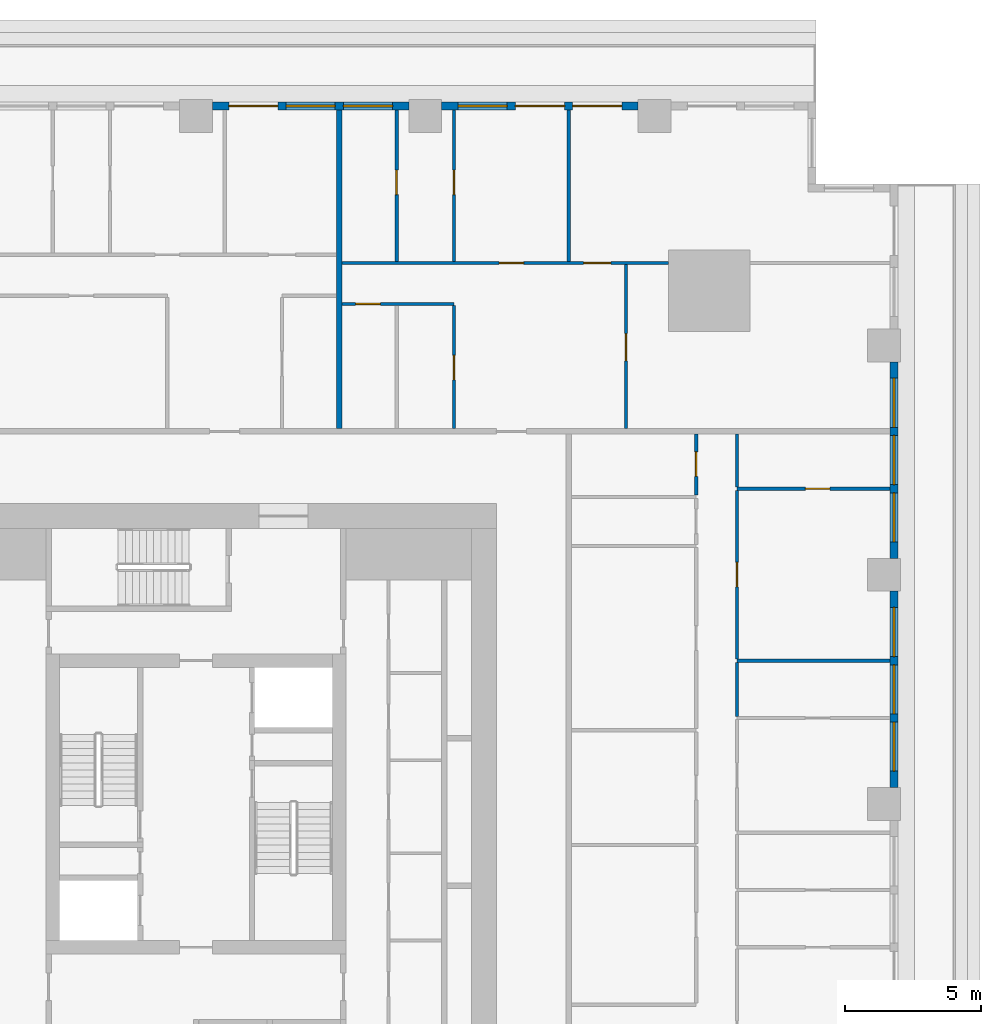
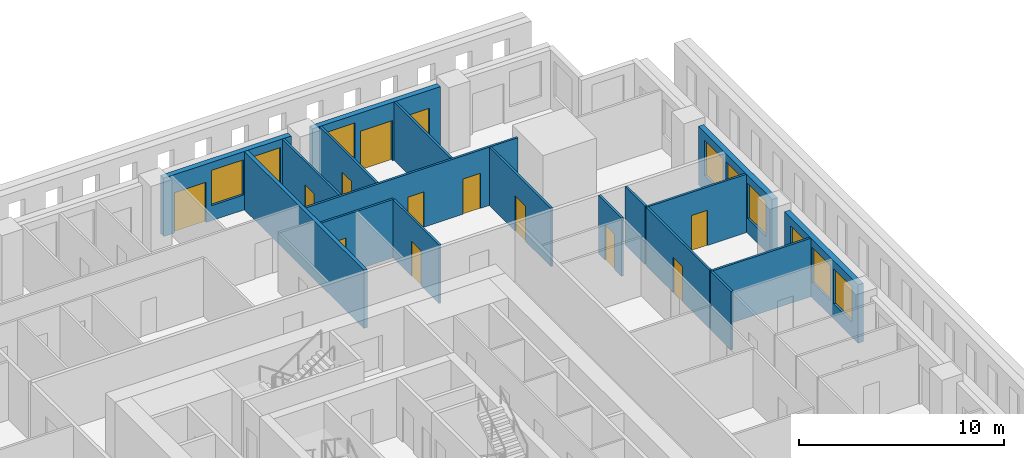
# One storey, part 9 of 15: 18 walls, 13 doors, 9 windows, 22 openings.
"""IFC4 building model written with IfcOpenShell, lengths in metres."""

import ifcopenshell
import ifcopenshell.guid

model = None  # the IFC model being written
_history = None  # IfcOwnerHistory: only IFC2X3 demands one
_inside = {}  # id of a spatial element -> (the spatial element, [elements in it])
_under = {}  # id of a project, library or spatial element -> (it, [spatial elements below it])
_declared = {}  # id of a project -> (the project, [libraries it declares])
_typed = {}  # id of a type object -> (the type object, [elements of that type])
_made_of = {}  # id of a material, layer set ... -> (it, [elements and type objects made of it])


def new_model(schema):
    """Start an empty IFC model of exactly this schema.

    Asked for "IFC4X3", IfcOpenShell would pick the latest addendum, in which some entities
    have other attributes; the version numbers below select the first issue.
    IFC2X3 requires an IfcOwnerHistory on every rooted entity: one is made here for all.
    """
    global model, _history
    if schema == "IFC4X3":
        model = ifcopenshell.file(schema_version=(4, 3, 0, 0))
    else:
        model = ifcopenshell.file(schema=schema)
    _inside.clear()
    _under.clear()
    _declared.clear()
    _typed.clear()
    _made_of.clear()
    _history = None
    if model.schema == "IFC2X3":
        org = make("IfcOrganization", Name="unknown")
        user = make(
            "IfcPersonAndOrganization",
            ThePerson=make("IfcPerson", FamilyName="unknown"),
            TheOrganization=org,
        )
        app = make(
            "IfcApplication",
            ApplicationDeveloper=org,
            Version="unknown",
            ApplicationFullName="unknown",
            ApplicationIdentifier="unknown",
        )
        _history = make(
            "IfcOwnerHistory",
            OwningUser=user,
            OwningApplication=app,
            ChangeAction="ADDED",
            CreationDate=0,
        )
    return model


def make(cls, **values):
    """One entity of the class cls with the attributes given. An attribute that is None is left unset."""
    return model.create_entity(
        cls, **{name: value for name, value in values.items() if value is not None}
    )


def rooted(cls, **values):
    """An entity with a GlobalId (a new one), such as an element, a storey or a relation."""
    return make(cls, GlobalId=ifcopenshell.guid.new(), OwnerHistory=_history, **values)


def si_unit(unit_type, name, prefix=None):
    """IfcSIUnit, for example si_unit("LENGTHUNIT", "METRE", prefix="MILLI")."""
    return make("IfcSIUnit", UnitType=unit_type, Prefix=prefix, Name=name)


def assignment(units):
    """IfcUnitAssignment: the units of a project."""
    return None if units is None else make("IfcUnitAssignment", Units=units)


def point(xyz):
    """IfcCartesianPoint."""
    return None if xyz is None else make("IfcCartesianPoint", Coordinates=xyz)


def direction(xyz):
    """IfcDirection."""
    return None if xyz is None else make("IfcDirection", DirectionRatios=xyz)


def frame(location, z_axis=None, x_axis=None):
    """IfcAxis2Placement3D, a coordinate frame: its origin and axes. An axis left out is left unset."""
    return make(
        "IfcAxis2Placement3D",
        Location=point(location),
        Axis=direction(z_axis),
        RefDirection=direction(x_axis),
    )


def frame_2d(location, x_axis=None):
    """IfcAxis2Placement2D, a coordinate frame in the plane: its origin and x axis."""
    return make(
        "IfcAxis2Placement2D", Location=point(location), RefDirection=direction(x_axis)
    )


def origin():
    """The frame at (0, 0, 0) with its axes left unset."""
    return frame((0.0, 0.0, 0.0))


def place(relative_to, where):
    """IfcLocalPlacement: puts the frame where relative to a parent placement (None: the world)."""
    return make(
        "IfcLocalPlacement", PlacementRelTo=relative_to, RelativePlacement=where
    )


def context(
    kind, dimensions, precision=None, world=None, true_north=None, identifier=None
):
    """IfcGeometricRepresentationContext, for example the 3D "Model" context."""
    return make(
        "IfcGeometricRepresentationContext",
        ContextIdentifier=identifier,
        ContextType=kind,
        CoordinateSpaceDimension=dimensions,
        Precision=precision,
        WorldCoordinateSystem=world,
        TrueNorth=true_north,
    )


def subcontext(parent, identifier, kind, view, scale=None):
    """IfcGeometricRepresentationSubContext, for example "Body" below "Model"."""
    return make(
        "IfcGeometricRepresentationSubContext",
        ContextIdentifier=identifier,
        ContextType=kind,
        ParentContext=parent,
        TargetScale=scale,
        TargetView=view,
    )


def project(units=None, contexts=None):
    """IfcProject with its units and contexts."""
    return rooted(
        "IfcProject",
        Name="project",
        RepresentationContexts=contexts,
        UnitsInContext=assignment(units),
    )


def spatial(cls, under=None, at=None, **own):
    """A site, building, storey or space (cls), placed at a placement, below another one or the project."""
    s = rooted(cls, ObjectPlacement=at, **own)
    if under is not None:
        _under.setdefault(under.id(), (under, []))[1].append(s)
    return s


def profile(cls, at=None, kind="AREA", **sizes):
    """A parametric profile (cls). Its sizes go by their IFC names, for example OverallWidth=200.0."""
    return make(cls, ProfileType=kind, Position=at, **sizes)


def rectangle(**sizes):
    """IfcRectangleProfileDef."""
    return profile("IfcRectangleProfileDef", **sizes)


def extrude(swept, where, along, depth):
    """IfcExtrudedAreaSolid: the profile swept, set in the frame where, extruded along a direction by depth."""
    return make(
        "IfcExtrudedAreaSolid",
        SweptArea=swept,
        Position=where,
        ExtrudedDirection=direction(along),
        Depth=depth,
    )


def shape(context_of_items, identifier, shape_type, items):
    """IfcShapeRepresentation: the items that make up one representation, for example the "Body"."""
    return make(
        "IfcShapeRepresentation",
        ContextOfItems=context_of_items,
        RepresentationIdentifier=identifier,
        RepresentationType=shape_type,
        Items=items,
    )


def material(Name=None, Category=None):
    """IfcMaterial."""
    return make("IfcMaterial", Name=Name, Category=Category)


def layer(
    of_material, thickness, ventilated=None, Name=None, Category=None, Priority=None
):
    """IfcMaterialLayer: one layer of a wall or slab, of a material (None: an air gap)."""
    return make(
        "IfcMaterialLayer",
        Material=of_material,
        LayerThickness=thickness,
        IsVentilated=ventilated,
        Name=Name,
        Category=Category,
        Priority=Priority,
    )


def layer_set(layers, Name=None):
    """IfcMaterialLayerSet."""
    return make("IfcMaterialLayerSet", MaterialLayers=layers, LayerSetName=Name)


def made_of(thing, what):
    """Note that an element or type object is made of a material, layer set ...; save() writes the relation."""
    if what is not None:
        _made_of.setdefault(what.id(), (what, []))[1].append(thing)
    return thing


def type_object(cls, material=None, **own):
    """A type object (cls), such as IfcWallType, which elements share."""
    return made_of(rooted(cls, **own), material)


def element(
    cls,
    number,
    at=None,
    inside=None,
    cuts=None,
    type_object=None,
    material=None,
    context=None,
    identifier="Body",
    shape_type=None,
    held_by="IfcProductDefinitionShape",
    body=None,
    shapes=None,
    **own,
):
    """One element of the class cls, such as IfcWall. Its Tag is "e" and its number.

    at: its placement. inside: the storey or other place that contains it. cuts: it is an
    opening in that element (IfcRelVoidsElement). A single representation is given by context,
    identifier, shape_type and body (its items); several are given by shapes. held_by: the class
    of the entity that holds the representations. save() writes the other relations.
    """
    e = rooted(cls, Tag="e%d" % number, ObjectPlacement=at, **own)
    if body is not None:
        shapes = [shape(context, identifier, shape_type, body)]
    if shapes is not None:
        e.Representation = make(held_by, Representations=shapes)
    if inside is not None:
        _inside.setdefault(inside.id(), (inside, []))[1].append(e)
    if cuts is not None:
        rooted(
            "IfcRelVoidsElement", RelatingBuildingElement=cuts, RelatedOpeningElement=e
        )
    if type_object is not None:
        _typed.setdefault(type_object.id(), (type_object, []))[1].append(e)
    return made_of(e, material)


def fill(opening, filler):
    """IfcRelFillsElement: the door or window that sits in an opening."""
    return rooted(
        "IfcRelFillsElement",
        RelatingOpeningElement=opening,
        RelatedBuildingElement=filler,
    )


def aggregate(whole, parts):
    """IfcRelAggregates: a whole, such as a stair, and the parts it consists of."""
    return rooted("IfcRelAggregates", RelatingObject=whole, RelatedObjects=parts)


def save(model, path):
    """Write the relations noted so far, then the file.

    IfcRelAggregates (storeys below a building ...), IfcRelContainedInSpatialStructure (elements
    in a storey), IfcRelDefinesByType, IfcRelAssociatesMaterial and IfcRelDeclares: one each for
    every whole, place, type object, material and project.
    """
    for whole, parts in _under.values():
        aggregate(whole, parts)
    for where, things in _inside.values():
        rooted(
            "IfcRelContainedInSpatialStructure",
            RelatedElements=things,
            RelatingStructure=where,
        )
    for kind, things in _typed.values():
        rooted("IfcRelDefinesByType", RelatedObjects=things, RelatingType=kind)
    for what, things in _made_of.values():
        rooted("IfcRelAssociatesMaterial", RelatedObjects=things, RelatingMaterial=what)
    for by, libraries in _declared.values():
        rooted("IfcRelDeclares", RelatingContext=by, RelatedDefinitions=libraries)
    model.write(path)


model = new_model("IFC4")

# Units and contexts
model_context = context("Model", 3, precision=1e-05, world=origin(), true_north=direction((0.0, 1.0)))
body_context = subcontext(model_context, "Body", "Model", "MODEL_VIEW")
ifc_project = project(units=[si_unit("LENGTHUNIT", "METRE"), si_unit("AREAUNIT", "SQUARE_METRE"), si_unit("VOLUMEUNIT", "CUBIC_METRE"), si_unit("PLANEANGLEUNIT", "RADIAN"), si_unit("MASSUNIT", "GRAM", prefix="KILO")], contexts=[model_context])

# Site, building, storey
site_placement = place(None, origin())
site = spatial("IfcSite", under=ifc_project, at=site_placement, CompositionType="ELEMENT")
building_placement = place(site_placement, origin())
building = spatial("IfcBuilding", under=site, at=building_placement, Name="Khepri Terraces", CompositionType="ELEMENT")
storey_placement = place(building_placement, frame((0.0, 0.0, 38.699951171875)))
storey = spatial("IfcBuildingStorey", under=building, at=storey_placement, Name="L08", CompositionType="ELEMENT", Elevation=38.699951171875)

# Wall
ifc_material_1 = material(Name="Fire-rated gypsum plasterboard partition, mineral wool")
ifc_layer_1 = layer(ifc_material_1, 0.199951171875, Name="Fire-rated gypsum plasterboard partition, mineral wool")
ifc_layer_set_1 = layer_set([ifc_layer_1], Name="Fire-rated gypsum plasterboard partition, mineral wool")
wall_type_1 = type_object("IfcWallType", Name="WL-CORR-200", PredefinedType="PARTITIONING", material=ifc_layer_set_1)
wall_1_placement = place(storey_placement, frame((5.25, 13.75, 0.0), z_axis=(0.0, 0.0, 1.0), x_axis=(0.0, 1.0, 0.0)))
element("IfcWall", 1, at=wall_1_placement, inside=storey, type_object=wall_type_1, Name="Partition P-082 L08", PredefinedType="PARTITIONING", context=body_context, shape_type="SweptSolid", body=[
    extrude(rectangle(XDim=11.669921875, YDim=0.199951171875, at=frame_2d((5.8349609375, 0.0))), origin(), (0.0, 0.0, 1.0), 3.47998046875),
])

# Wall, openings, windows
ifc_material_2 = material(Name="Precast concrete C50/60 warm stone", Category="masonry")
ifc_layer_2 = layer(ifc_material_2, 0.300048828125, Name="Precast concrete C50/60 warm stone", Category="masonry")
ifc_layer_set_2 = layer_set([ifc_layer_2], Name="Precast concrete C50/60 warm stone")
wall_type_2 = type_object("IfcWallType", Name="WL-EXT-PRECAST-300", PredefinedType="STANDARD", material=ifc_layer_set_2)
wall_2_placement = place(storey_placement, frame((25.570068359375, 0.60009765625, 0.0), z_axis=(0.0, 0.0, 1.0), x_axis=(0.0, 1.0, 0.0)))
wall_2 = element("IfcWall", 2, at=wall_2_placement, inside=storey, type_object=wall_type_2, Name="External wall L08 E", PredefinedType="STANDARD", context=body_context, shape_type="SweptSolid", body=[
    extrude(rectangle(XDim=7.199951171875, YDim=0.300048828125, at=frame_2d((3.60009765625, 0.0))), origin(), (0.0, 0.0, 1.0), 3.47998046875),
])
opening_1_placement = place(wall_2_placement, frame((0.60009765625, 0.0, 0.89990234375)))
opening_1 = element("IfcOpeningElement", 3, at=opening_1_placement, cuts=wall_2, Name="Opening W1", PredefinedType="OPENING", context=body_context, shape_type="SweptSolid", body=[
    extrude(rectangle(XDim=1.800048828125, YDim=2.10009765625, at=frame_2d((0.89990234375, 1.050048828125))), frame((0.0, 0.16015625, 0.0), z_axis=(0.0, -1.0, 0.0), x_axis=(1.0, 0.0, 0.0)), (0.0, 0.0, 1.0), 0.320068359375),
])
opening_2_placement = place(wall_2_placement, frame((2.699951171875, 0.0, 0.89990234375)))
opening_2 = element("IfcOpeningElement", 4, at=opening_2_placement, cuts=wall_2, Name="Opening W1", PredefinedType="OPENING", context=body_context, shape_type="SweptSolid", body=[
    extrude(rectangle(XDim=1.800048828125, YDim=2.10009765625, at=frame_2d((0.89990234375, 1.050048828125))), frame((0.0, 0.16015625, 0.0), z_axis=(0.0, -1.0, 0.0), x_axis=(1.0, 0.0, 0.0)), (0.0, 0.0, 1.0), 0.320068359375),
])
opening_3_placement = place(wall_2_placement, frame((4.800048828125, 0.0, 0.89990234375)))
opening_3 = element("IfcOpeningElement", 5, at=opening_3_placement, cuts=wall_2, Name="Opening W1", PredefinedType="OPENING", context=body_context, shape_type="SweptSolid", body=[
    extrude(rectangle(XDim=1.800048828125, YDim=2.10009765625, at=frame_2d((0.89990234375, 1.050048828125))), frame((0.0, 0.16015625, 0.0), z_axis=(0.0, -1.0, 0.0), x_axis=(1.0, 0.0, 0.0)), (0.0, 0.0, 1.0), 0.320068359375),
])
ifc_material_3 = material(Name="Clear glass", Category="glass")
window_type = type_object("IfcWindowType", Name="WIN-RES-1800x2100", PartitioningType="SINGLE_PANEL", PredefinedType="WINDOW", material=ifc_material_3)
window_1_placement = place(opening_1_placement, origin())
window_1 = element("IfcWindow", 6, at=window_1_placement, inside=storey, type_object=window_type, Name="Window L08 E", OverallHeight=2.10009765625, OverallWidth=1.800048828125, PartitioningType="SINGLE_PANEL", PredefinedType="WINDOW", context=body_context, shape_type="SweptSolid", body=[
    extrude(rectangle(XDim=1.800048828125, YDim=2.10009765625, at=frame_2d((0.89990234375, 1.050048828125))), frame((0.0, 0.030029296875, 0.0), z_axis=(0.0, -1.0, 0.0), x_axis=(1.0, 0.0, 0.0)), (0.0, 0.0, 1.0), 0.06005859375),
])
fill(opening_1, window_1)
window_2_placement = place(opening_2_placement, origin())
window_2 = element("IfcWindow", 7, at=window_2_placement, inside=storey, type_object=window_type, Name="Window L08 E", OverallHeight=2.10009765625, OverallWidth=1.800048828125, PartitioningType="SINGLE_PANEL", PredefinedType="WINDOW", context=body_context, shape_type="SweptSolid", body=[
    extrude(rectangle(XDim=1.800048828125, YDim=2.10009765625, at=frame_2d((0.89990234375, 1.050048828125))), frame((0.0, 0.030029296875, 0.0), z_axis=(0.0, -1.0, 0.0), x_axis=(1.0, 0.0, 0.0)), (0.0, 0.0, 1.0), 0.06005859375),
])
fill(opening_2, window_2)
window_3_placement = place(opening_3_placement, origin())
window_3 = element("IfcWindow", 8, at=window_3_placement, inside=storey, type_object=window_type, Name="Window L08 E", OverallHeight=2.10009765625, OverallWidth=1.800048828125, PartitioningType="SINGLE_PANEL", PredefinedType="WINDOW", context=body_context, shape_type="SweptSolid", body=[
    extrude(rectangle(XDim=1.800048828125, YDim=2.10009765625, at=frame_2d((0.89990234375, 1.050048828125))), frame((0.0, 0.030029296875, 0.0), z_axis=(0.0, -1.0, 0.0), x_axis=(1.0, 0.0, 0.0)), (0.0, 0.0, 1.0), 0.06005859375),
])
fill(opening_3, window_3)

wall_3_placement = place(storey_placement, frame((25.570068359375, 9.0, 0.0), z_axis=(0.0, 0.0, 1.0), x_axis=(0.0, 1.0, 0.0)))
wall_3 = element("IfcWall", 9, at=wall_3_placement, inside=storey, type_object=wall_type_2, Name="External wall L08 E", PredefinedType="STANDARD", context=body_context, shape_type="SweptSolid", body=[
    extrude(rectangle(XDim=7.199951171875, YDim=0.300048828125, at=frame_2d((3.60009765625, 0.0))), origin(), (0.0, 0.0, 1.0), 3.47998046875),
])
opening_4_placement = place(wall_3_placement, frame((0.60009765625, 0.0, 0.89990234375)))
opening_4 = element("IfcOpeningElement", 10, at=opening_4_placement, cuts=wall_3, Name="Opening W1", PredefinedType="OPENING", context=body_context, shape_type="SweptSolid", body=[
    extrude(rectangle(XDim=1.800048828125, YDim=2.10009765625, at=frame_2d((0.89990234375, 1.050048828125))), frame((0.0, 0.16015625, 0.0), z_axis=(0.0, -1.0, 0.0), x_axis=(1.0, 0.0, 0.0)), (0.0, 0.0, 1.0), 0.320068359375),
])
opening_5_placement = place(wall_3_placement, frame((2.699951171875, 0.0, 0.89990234375)))
opening_5 = element("IfcOpeningElement", 11, at=opening_5_placement, cuts=wall_3, Name="Opening W1", PredefinedType="OPENING", context=body_context, shape_type="SweptSolid", body=[
    extrude(rectangle(XDim=1.800048828125, YDim=2.10009765625, at=frame_2d((0.89990234375, 1.050048828125))), frame((0.0, 0.16015625, 0.0), z_axis=(0.0, -1.0, 0.0), x_axis=(1.0, 0.0, 0.0)), (0.0, 0.0, 1.0), 0.320068359375),
])
opening_6_placement = place(wall_3_placement, frame((4.800048828125, 0.0, 0.89990234375)))
opening_6 = element("IfcOpeningElement", 12, at=opening_6_placement, cuts=wall_3, Name="Opening W1", PredefinedType="OPENING", context=body_context, shape_type="SweptSolid", body=[
    extrude(rectangle(XDim=1.800048828125, YDim=2.10009765625, at=frame_2d((0.89990234375, 1.050048828125))), frame((0.0, 0.16015625, 0.0), z_axis=(0.0, -1.0, 0.0), x_axis=(1.0, 0.0, 0.0)), (0.0, 0.0, 1.0), 0.320068359375),
])
window_4_placement = place(opening_4_placement, origin())
window_4 = element("IfcWindow", 13, at=window_4_placement, inside=storey, type_object=window_type, Name="Window L08 E", OverallHeight=2.10009765625, OverallWidth=1.800048828125, PartitioningType="SINGLE_PANEL", PredefinedType="WINDOW", context=body_context, shape_type="SweptSolid", body=[
    extrude(rectangle(XDim=1.800048828125, YDim=2.10009765625, at=frame_2d((0.89990234375, 1.050048828125))), frame((0.0, 0.030029296875, 0.0), z_axis=(0.0, -1.0, 0.0), x_axis=(1.0, 0.0, 0.0)), (0.0, 0.0, 1.0), 0.06005859375),
])
fill(opening_4, window_4)
window_5_placement = place(opening_5_placement, origin())
window_5 = element("IfcWindow", 14, at=window_5_placement, inside=storey, type_object=window_type, Name="Window L08 E", OverallHeight=2.10009765625, OverallWidth=1.800048828125, PartitioningType="SINGLE_PANEL", PredefinedType="WINDOW", context=body_context, shape_type="SweptSolid", body=[
    extrude(rectangle(XDim=1.800048828125, YDim=2.10009765625, at=frame_2d((0.89990234375, 1.050048828125))), frame((0.0, 0.030029296875, 0.0), z_axis=(0.0, -1.0, 0.0), x_axis=(1.0, 0.0, 0.0)), (0.0, 0.0, 1.0), 0.06005859375),
])
fill(opening_5, window_5)
window_6_placement = place(opening_6_placement, origin())
window_6 = element("IfcWindow", 15, at=window_6_placement, inside=storey, type_object=window_type, Name="Window L08 E", OverallHeight=2.10009765625, OverallWidth=1.800048828125, PartitioningType="SINGLE_PANEL", PredefinedType="WINDOW", context=body_context, shape_type="SweptSolid", body=[
    extrude(rectangle(XDim=1.800048828125, YDim=2.10009765625, at=frame_2d((0.89990234375, 1.050048828125))), frame((0.0, 0.030029296875, 0.0), z_axis=(0.0, -1.0, 0.0), x_axis=(1.0, 0.0, 0.0)), (0.0, 0.0, 1.0), 0.06005859375),
])
fill(opening_6, window_6)

# Wall, openings, doors, window
wall_4_placement = place(storey_placement, frame((16.199951171875, 25.570068359375, 0.0), z_axis=(0.0, 0.0, 1.0), x_axis=(-1.0, 0.0, 0.0)))
wall_4 = element("IfcWall", 16, at=wall_4_placement, inside=storey, type_object=wall_type_2, Name="External wall L08 N", PredefinedType="STANDARD", context=body_context, shape_type="SweptSolid", body=[
    extrude(rectangle(XDim=7.199951171875, YDim=0.300048828125, at=frame_2d((3.60009765625, 0.0))), origin(), (0.0, 0.0, 1.0), 3.47998046875),
])
opening_7_placement = place(wall_4_placement, frame((0.60009765625, 0.0, 0.0)))
opening_7 = element("IfcOpeningElement", 17, at=opening_7_placement, cuts=wall_4, Name="Opening ED-L08-07", PredefinedType="OPENING", context=body_context, shape_type="SweptSolid", body=[
    extrude(rectangle(XDim=1.800048828125, YDim=2.39990234375, at=frame_2d((0.89990234375, 1.199951171875))), frame((0.0, 0.16015625, 0.0), z_axis=(0.0, -1.0, 0.0), x_axis=(1.0, 0.0, 0.0)), (0.0, 0.0, 1.0), 0.320068359375),
])
opening_8_placement = place(wall_4_placement, frame((2.699951171875, 0.0, 0.0)))
opening_8 = element("IfcOpeningElement", 18, at=opening_8_placement, cuts=wall_4, Name="Opening ED-L08-08", PredefinedType="OPENING", context=body_context, shape_type="SweptSolid", body=[
    extrude(rectangle(XDim=1.800048828125, YDim=2.39990234375, at=frame_2d((0.89990234375, 1.199951171875))), frame((0.0, 0.16015625, 0.0), z_axis=(0.0, -1.0, 0.0), x_axis=(1.0, 0.0, 0.0)), (0.0, 0.0, 1.0), 0.320068359375),
])
opening_9_placement = place(wall_4_placement, frame((4.800048828125, 0.0, 0.89990234375)))
opening_9 = element("IfcOpeningElement", 19, at=opening_9_placement, cuts=wall_4, Name="Opening W1", PredefinedType="OPENING", context=body_context, shape_type="SweptSolid", body=[
    extrude(rectangle(XDim=1.800048828125, YDim=2.10009765625, at=frame_2d((0.89990234375, 1.050048828125))), frame((0.0, 0.16015625, 0.0), z_axis=(0.0, -1.0, 0.0), x_axis=(1.0, 0.0, 0.0)), (0.0, 0.0, 1.0), 0.320068359375),
])
ifc_material_4 = material(Name="Anodised aluminium bronze glazed door", Category="aluminium")
door_type_1 = type_object("IfcDoorType", Name="DR-BAL-SLIDE-1800x2400", OperationType="NOTDEFINED", PredefinedType="DOOR", material=ifc_material_4)
door_1_placement = place(opening_7_placement, origin())
door_1 = element("IfcDoor", 20, at=door_1_placement, inside=storey, type_object=door_type_1, Name="Balcony door L08 N", OperationType="SLIDING_TO_LEFT", OverallHeight=2.39990234375, OverallWidth=1.800048828125, PredefinedType="DOOR", context=body_context, shape_type="SweptSolid", body=[
    extrude(rectangle(XDim=1.800048828125, YDim=2.39990234375, at=frame_2d((0.89990234375, 1.199951171875))), frame((0.0, 0.02490234375, 0.0), z_axis=(0.0, -1.0, 0.0), x_axis=(1.0, 0.0, 0.0)), (0.0, 0.0, 1.0), 0.050048828125),
])
fill(opening_7, door_1)
door_2_placement = place(opening_8_placement, origin())
door_2 = element("IfcDoor", 21, at=door_2_placement, inside=storey, type_object=door_type_1, Name="Balcony door L08 N", OperationType="SLIDING_TO_RIGHT", OverallHeight=2.39990234375, OverallWidth=1.800048828125, PredefinedType="DOOR", context=body_context, shape_type="SweptSolid", body=[
    extrude(rectangle(XDim=1.800048828125, YDim=2.39990234375, at=frame_2d((0.89990234375, 1.199951171875))), frame((0.0, 0.02490234375, 0.0), z_axis=(0.0, -1.0, 0.0), x_axis=(1.0, 0.0, 0.0)), (0.0, 0.0, 1.0), 0.050048828125),
])
fill(opening_8, door_2)
window_7_placement = place(opening_9_placement, origin())
window_7 = element("IfcWindow", 22, at=window_7_placement, inside=storey, type_object=window_type, Name="Window L08 N", OverallHeight=2.10009765625, OverallWidth=1.800048828125, PartitioningType="SINGLE_PANEL", PredefinedType="WINDOW", context=body_context, shape_type="SweptSolid", body=[
    extrude(rectangle(XDim=1.800048828125, YDim=2.10009765625, at=frame_2d((0.89990234375, 1.050048828125))), frame((0.0, 0.030029296875, 0.0), z_axis=(0.0, -1.0, 0.0), x_axis=(1.0, 0.0, 0.0)), (0.0, 0.0, 1.0), 0.06005859375),
])
fill(opening_9, window_7)

# Wall, openings, door, windows
wall_5_placement = place(storey_placement, frame((7.800048828125, 25.570068359375, 0.0), z_axis=(0.0, 0.0, 1.0), x_axis=(-1.0, 0.0, 0.0)))
wall_5 = element("IfcWall", 23, at=wall_5_placement, inside=storey, type_object=wall_type_2, Name="External wall L08 N", PredefinedType="STANDARD", context=body_context, shape_type="SweptSolid", body=[
    extrude(rectangle(XDim=7.199951171875, YDim=0.300048828125, at=frame_2d((3.60009765625, 0.0))), origin(), (0.0, 0.0, 1.0), 3.47998046875),
])
opening_10_placement = place(wall_5_placement, frame((0.60009765625, 0.0, 0.89990234375)))
opening_10 = element("IfcOpeningElement", 24, at=opening_10_placement, cuts=wall_5, Name="Opening W1", PredefinedType="OPENING", context=body_context, shape_type="SweptSolid", body=[
    extrude(rectangle(XDim=1.800048828125, YDim=2.10009765625, at=frame_2d((0.89990234375, 1.050048828125))), frame((0.0, 0.16015625, 0.0), z_axis=(0.0, -1.0, 0.0), x_axis=(1.0, 0.0, 0.0)), (0.0, 0.0, 1.0), 0.320068359375),
])
opening_11_placement = place(wall_5_placement, frame((2.699951171875, 0.0, 0.89990234375)))
opening_11 = element("IfcOpeningElement", 25, at=opening_11_placement, cuts=wall_5, Name="Opening W1", PredefinedType="OPENING", context=body_context, shape_type="SweptSolid", body=[
    extrude(rectangle(XDim=1.800048828125, YDim=2.10009765625, at=frame_2d((0.89990234375, 1.050048828125))), frame((0.0, 0.16015625, 0.0), z_axis=(0.0, -1.0, 0.0), x_axis=(1.0, 0.0, 0.0)), (0.0, 0.0, 1.0), 0.320068359375),
])
opening_12_placement = place(wall_5_placement, frame((4.800048828125, 0.0, 0.0)))
opening_12 = element("IfcOpeningElement", 26, at=opening_12_placement, cuts=wall_5, Name="Opening ED-L08-09", PredefinedType="OPENING", context=body_context, shape_type="SweptSolid", body=[
    extrude(rectangle(XDim=1.800048828125, YDim=2.39990234375, at=frame_2d((0.89990234375, 1.199951171875))), frame((0.0, 0.16015625, 0.0), z_axis=(0.0, -1.0, 0.0), x_axis=(1.0, 0.0, 0.0)), (0.0, 0.0, 1.0), 0.320068359375),
])
door_3_placement = place(opening_12_placement, origin())
door_3 = element("IfcDoor", 27, at=door_3_placement, inside=storey, type_object=door_type_1, Name="Balcony door L08 N", OperationType="SLIDING_TO_RIGHT", OverallHeight=2.39990234375, OverallWidth=1.800048828125, PredefinedType="DOOR", context=body_context, shape_type="SweptSolid", body=[
    extrude(rectangle(XDim=1.800048828125, YDim=2.39990234375, at=frame_2d((0.89990234375, 1.199951171875))), frame((0.0, 0.02490234375, 0.0), z_axis=(0.0, -1.0, 0.0), x_axis=(1.0, 0.0, 0.0)), (0.0, 0.0, 1.0), 0.050048828125),
])
fill(opening_12, door_3)
window_8_placement = place(opening_10_placement, origin())
window_8 = element("IfcWindow", 28, at=window_8_placement, inside=storey, type_object=window_type, Name="Window L08 N", OverallHeight=2.10009765625, OverallWidth=1.800048828125, PartitioningType="SINGLE_PANEL", PredefinedType="WINDOW", context=body_context, shape_type="SweptSolid", body=[
    extrude(rectangle(XDim=1.800048828125, YDim=2.10009765625, at=frame_2d((0.89990234375, 1.050048828125))), frame((0.0, 0.030029296875, 0.0), z_axis=(0.0, -1.0, 0.0), x_axis=(1.0, 0.0, 0.0)), (0.0, 0.0, 1.0), 0.06005859375),
])
fill(opening_10, window_8)
window_9_placement = place(opening_11_placement, origin())
window_9 = element("IfcWindow", 29, at=window_9_placement, inside=storey, type_object=window_type, Name="Window L08 N", OverallHeight=2.10009765625, OverallWidth=1.800048828125, PartitioningType="SINGLE_PANEL", PredefinedType="WINDOW", context=body_context, shape_type="SweptSolid", body=[
    extrude(rectangle(XDim=1.800048828125, YDim=2.10009765625, at=frame_2d((0.89990234375, 1.050048828125))), frame((0.0, 0.030029296875, 0.0), z_axis=(0.0, -1.0, 0.0), x_axis=(1.0, 0.0, 0.0)), (0.0, 0.0, 1.0), 0.06005859375),
])
fill(opening_11, window_9)

# Walls
ifc_material_5 = material(Name="Gypsum plasterboard partition")
ifc_layer_3 = layer(ifc_material_5, 0.1201171875, Name="Gypsum plasterboard partition")
ifc_layer_set_3 = layer_set([ifc_layer_3], Name="Gypsum plasterboard partition")
wall_type_3 = type_object("IfcWallType", Name="WL-PART-120", PredefinedType="PARTITIONING", material=ifc_layer_set_3)
wall_6_placement = place(storey_placement, frame((19.820068359375, 3.2099609375, 0.0), z_axis=(0.0, 0.0, 1.0), x_axis=(0.0, 1.0, 0.0)))
element("IfcWall", 30, at=wall_6_placement, inside=storey, type_object=wall_type_3, Name="Partition P-061 L08", PredefinedType="PARTITIONING", context=body_context, shape_type="SweptSolid", body=[
    extrude(rectangle(XDim=1.97998046875, YDim=0.1201171875, at=frame_2d((0.989990234375, 0.0))), origin(), (0.0, 0.0, 1.0), 3.47998046875),
])
wall_7_placement = place(storey_placement, frame((19.820068359375, 5.25, 0.0), z_axis=(0.0, 0.0, 1.0), x_axis=(1.0, 0.0, 0.0)))
element("IfcWall", 31, at=wall_7_placement, inside=storey, type_object=wall_type_3, Name="Partition P-063 L08", PredefinedType="PARTITIONING", context=body_context, shape_type="SweptSolid", body=[
    extrude(rectangle(XDim=5.599853515625, YDim=0.1201171875, at=frame_2d((2.7998046875, 0.0))), origin(), (0.0, 0.0, 1.0), 3.47998046875),
])

# Wall, opening, door
wall_8_placement = place(storey_placement, frame((19.820068359375, 5.31005859375, 0.0), z_axis=(0.0, 0.0, 1.0), x_axis=(0.0, 1.0, 0.0)))
wall_8 = element("IfcWall", 32, at=wall_8_placement, inside=storey, type_object=wall_type_3, Name="Partition P-065 L08", PredefinedType="PARTITIONING", context=body_context, shape_type="SweptSolid", body=[
    extrude(rectangle(XDim=6.179931640625, YDim=0.1201171875, at=frame_2d((3.08984375, 0.0))), origin(), (0.0, 0.0, 1.0), 3.47998046875),
])
opening_13_placement = place(wall_8_placement, frame((2.639892578125, 0.0, 0.0)))
opening_13 = element("IfcOpeningElement", 33, at=opening_13_placement, cuts=wall_8, Name="Opening D3", PredefinedType="OPENING", context=body_context, shape_type="SweptSolid", body=[
    extrude(rectangle(XDim=0.89990234375, YDim=2.10009765625, at=frame_2d((0.449951171875, 1.050048828125))), frame((0.0, 0.070068359375, 0.0), z_axis=(0.0, -1.0, 0.0), x_axis=(1.0, 0.0, 0.0)), (0.0, 0.0, 1.0), 0.14013671875),
])
ifc_material_6 = material(Name="Timber door leaf", Category="wood")
door_type_2 = type_object("IfcDoorType", Name="DR-INT-900", OperationType="NOTDEFINED", PredefinedType="DOOR", material=ifc_material_6)
door_4_placement = place(opening_13_placement, frame((0.89990234375, 0.0, 0.0), z_axis=(0.0, 0.0, 1.0), x_axis=(-1.0, 0.0, 0.0)))
door_4 = element("IfcDoor", 34, at=door_4_placement, inside=storey, type_object=door_type_2, Name="Door Bedroom", OperationType="SINGLE_SWING_LEFT", OverallHeight=2.10009765625, OverallWidth=0.89990234375, PredefinedType="DOOR", context=body_context, shape_type="SweptSolid", body=[
    extrude(rectangle(XDim=0.89990234375, YDim=2.10009765625, at=frame_2d((0.449951171875, 1.050048828125))), frame((0.0, 0.02490234375, 0.0), z_axis=(0.0, -1.0, 0.0), x_axis=(1.0, 0.0, 0.0)), (0.0, 0.0, 1.0), 0.050048828125),
])
fill(opening_13, door_4)

wall_9_placement = place(storey_placement, frame((18.320068359375, 11.31005859375, 0.0), z_axis=(0.0, 0.0, 1.0), x_axis=(0.0, 1.0, 0.0)))
wall_9 = element("IfcWall", 35, at=wall_9_placement, inside=storey, type_object=wall_type_3, Name="Partition P-070 L08", PredefinedType="PARTITIONING", context=body_context, shape_type="SweptSolid", body=[
    extrude(rectangle(XDim=2.239990234375, YDim=0.1201171875, at=frame_2d((1.1201171875, 0.0))), origin(), (0.0, 0.0, 1.0), 3.47998046875),
])
opening_14_placement = place(wall_9_placement, frame((0.68994140625, 0.0, 0.0)))
opening_14 = element("IfcOpeningElement", 36, at=opening_14_placement, cuts=wall_9, Name="Opening D3", PredefinedType="OPENING", context=body_context, shape_type="SweptSolid", body=[
    extrude(rectangle(XDim=0.89990234375, YDim=2.10009765625, at=frame_2d((0.449951171875, 1.050048828125))), frame((0.0, 0.070068359375, 0.0), z_axis=(0.0, -1.0, 0.0), x_axis=(1.0, 0.0, 0.0)), (0.0, 0.0, 1.0), 0.14013671875),
])
door_5_placement = place(opening_14_placement, origin())
door_5 = element("IfcDoor", 37, at=door_5_placement, inside=storey, type_object=door_type_2, Name="Door Utility Room", OperationType="SINGLE_SWING_RIGHT", OverallHeight=2.10009765625, OverallWidth=0.89990234375, PredefinedType="DOOR", context=body_context, shape_type="SweptSolid", body=[
    extrude(rectangle(XDim=0.89990234375, YDim=2.10009765625, at=frame_2d((0.449951171875, 1.050048828125))), frame((0.0, 0.02490234375, 0.0), z_axis=(0.0, -1.0, 0.0), x_axis=(1.0, 0.0, 0.0)), (0.0, 0.0, 1.0), 0.050048828125),
])
fill(opening_14, door_5)

wall_10_placement = place(storey_placement, frame((19.820068359375, 11.550048828125, 0.0), z_axis=(0.0, 0.0, 1.0), x_axis=(1.0, 0.0, 0.0)))
wall_10 = element("IfcWall", 38, at=wall_10_placement, inside=storey, type_object=wall_type_3, Name="Partition P-071 L08", PredefinedType="PARTITIONING", context=body_context, shape_type="SweptSolid", body=[
    extrude(rectangle(XDim=5.599853515625, YDim=0.1201171875, at=frame_2d((2.7998046875, 0.0))), origin(), (0.0, 0.0, 1.0), 3.47998046875),
])
opening_15_placement = place(wall_10_placement, frame((2.5, 0.0, 0.0)))
opening_15 = element("IfcOpeningElement", 39, at=opening_15_placement, cuts=wall_10, Name="Opening D4", PredefinedType="OPENING", context=body_context, shape_type="SweptSolid", body=[
    extrude(rectangle(XDim=0.89990234375, YDim=2.10009765625, at=frame_2d((0.449951171875, 1.050048828125))), frame((0.0, 0.070068359375, 0.0), z_axis=(0.0, -1.0, 0.0), x_axis=(1.0, 0.0, 0.0)), (0.0, 0.0, 1.0), 0.14013671875),
])
ifc_material_7 = material(Name="Timber door leaf, moisture resistant", Category="wood")
door_type_3 = type_object("IfcDoorType", Name="DR-WET-900", OperationType="NOTDEFINED", PredefinedType="DOOR", material=ifc_material_7)
door_6_placement = place(opening_15_placement, origin())
door_6 = element("IfcDoor", 40, at=door_6_placement, inside=storey, type_object=door_type_3, Name="Door Bathroom", OperationType="SINGLE_SWING_RIGHT", OverallHeight=2.10009765625, OverallWidth=0.89990234375, PredefinedType="DOOR", context=body_context, shape_type="SweptSolid", body=[
    extrude(rectangle(XDim=0.89990234375, YDim=2.10009765625, at=frame_2d((0.449951171875, 1.050048828125))), frame((0.0, 0.02490234375, 0.0), z_axis=(0.0, -1.0, 0.0), x_axis=(1.0, 0.0, 0.0)), (0.0, 0.0, 1.0), 0.050048828125),
])
fill(opening_15, door_6)

# Wall
wall_11_placement = place(storey_placement, frame((19.820068359375, 11.610107421875, 0.0), z_axis=(0.0, 0.0, 1.0), x_axis=(0.0, 1.0, 0.0)))
element("IfcWall", 41, at=wall_11_placement, inside=storey, type_object=wall_type_3, Name="Partition P-072 L08", PredefinedType="PARTITIONING", context=body_context, shape_type="SweptSolid", body=[
    extrude(rectangle(XDim=1.93994140625, YDim=0.1201171875, at=frame_2d((0.969970703125, 0.0))), origin(), (0.0, 0.0, 1.0), 3.47998046875),
])

# Wall, opening, door
wall_12_placement = place(storey_placement, frame((9.449951171875, 13.75, 0.0), z_axis=(0.0, 0.0, 1.0), x_axis=(0.0, 1.0, 0.0)))
wall_12 = element("IfcWall", 42, at=wall_12_placement, inside=storey, type_object=wall_type_3, Name="Partition P-084 L08", PredefinedType="PARTITIONING", context=body_context, shape_type="SweptSolid", body=[
    extrude(rectangle(XDim=4.510009765625, YDim=0.1201171875, at=frame_2d((2.2548828125, 0.0))), origin(), (0.0, 0.0, 1.0), 3.47998046875),
])
opening_16_placement = place(wall_12_placement, frame((1.784912109375, 0.0, 0.0)))
opening_16 = element("IfcOpeningElement", 43, at=opening_16_placement, cuts=wall_12, Name="Opening D4", PredefinedType="OPENING", context=body_context, shape_type="SweptSolid", body=[
    extrude(rectangle(XDim=0.89990234375, YDim=2.10009765625, at=frame_2d((0.449951171875, 1.050048828125))), frame((0.0, 0.070068359375, 0.0), z_axis=(0.0, -1.0, 0.0), x_axis=(1.0, 0.0, 0.0)), (0.0, 0.0, 1.0), 0.14013671875),
])
door_7_placement = place(opening_16_placement, origin())
door_7 = element("IfcDoor", 44, at=door_7_placement, inside=storey, type_object=door_type_3, Name="Door Guest Bathroom", OperationType="SINGLE_SWING_LEFT", OverallHeight=2.10009765625, OverallWidth=0.89990234375, PredefinedType="DOOR", context=body_context, shape_type="SweptSolid", body=[
    extrude(rectangle(XDim=0.89990234375, YDim=2.10009765625, at=frame_2d((0.449951171875, 1.050048828125))), frame((0.0, 0.02490234375, 0.0), z_axis=(0.0, -1.0, 0.0), x_axis=(1.0, 0.0, 0.0)), (0.0, 0.0, 1.0), 0.050048828125),
])
fill(opening_16, door_7)

wall_13_placement = place(storey_placement, frame((15.75, 13.75, 0.0), z_axis=(0.0, 0.0, 1.0), x_axis=(0.0, 1.0, 0.0)))
wall_13 = element("IfcWall", 45, at=wall_13_placement, inside=storey, type_object=wall_type_3, Name="Partition P-085 L08", PredefinedType="PARTITIONING", context=body_context, shape_type="SweptSolid", body=[
    extrude(rectangle(XDim=6.010009765625, YDim=0.1201171875, at=frame_2d((3.0048828125, 0.0))), origin(), (0.0, 0.0, 1.0), 3.47998046875),
])
opening_17_placement = place(wall_13_placement, frame((2.485107421875, 0.0, 0.0)))
opening_17 = element("IfcOpeningElement", 46, at=opening_17_placement, cuts=wall_13, Name="Opening D2", PredefinedType="OPENING", context=body_context, shape_type="SweptSolid", body=[
    extrude(rectangle(XDim=1.0, YDim=2.10009765625, at=frame_2d((0.5, 1.050048828125))), frame((0.0, 0.070068359375, 0.0), z_axis=(0.0, -1.0, 0.0), x_axis=(1.0, 0.0, 0.0)), (0.0, 0.0, 1.0), 0.14013671875),
])
ifc_material_8 = material(Name="Timber door leaf, living room door", Category="wood")
door_type_4 = type_object("IfcDoorType", Name="DR-INT-1000", OperationType="NOTDEFINED", PredefinedType="DOOR", material=ifc_material_8)
door_8_placement = place(opening_17_placement, frame((1.0, 0.0, 0.0), z_axis=(0.0, 0.0, 1.0), x_axis=(-1.0, 0.0, 0.0)))
door_8 = element("IfcDoor", 47, at=door_8_placement, inside=storey, type_object=door_type_4, Name="Door Family Room", OperationType="SINGLE_SWING_RIGHT", OverallHeight=2.10009765625, OverallWidth=1.0, PredefinedType="DOOR", context=body_context, shape_type="SweptSolid", body=[
    extrude(rectangle(XDim=1.0, YDim=2.10009765625, at=frame_2d((0.5, 1.050048828125))), frame((0.0, 0.02490234375, 0.0), z_axis=(0.0, -1.0, 0.0), x_axis=(1.0, 0.0, 0.0)), (0.0, 0.0, 1.0), 0.050048828125),
])
fill(opening_17, door_8)

wall_14_placement = place(storey_placement, frame((5.35009765625, 18.320068359375, 0.0), z_axis=(0.0, 0.0, 1.0), x_axis=(1.0, 0.0, 0.0)))
wall_14 = element("IfcWall", 48, at=wall_14_placement, inside=storey, type_object=wall_type_3, Name="Partition P-088 L08", PredefinedType="PARTITIONING", context=body_context, shape_type="SweptSolid", body=[
    extrude(rectangle(XDim=4.099853515625, YDim=0.1201171875, at=frame_2d((2.0498046875, 0.0))), origin(), (0.0, 0.0, 1.0), 3.47998046875),
])
opening_18_placement = place(wall_14_placement, frame((0.5, 0.0, 0.0)))
opening_18 = element("IfcOpeningElement", 49, at=opening_18_placement, cuts=wall_14, Name="Opening D3", PredefinedType="OPENING", context=body_context, shape_type="SweptSolid", body=[
    extrude(rectangle(XDim=0.89990234375, YDim=2.10009765625, at=frame_2d((0.449951171875, 1.050048828125))), frame((0.0, 0.070068359375, 0.0), z_axis=(0.0, -1.0, 0.0), x_axis=(1.0, 0.0, 0.0)), (0.0, 0.0, 1.0), 0.14013671875),
])
door_9_placement = place(opening_18_placement, frame((0.89990234375, 0.0, 0.0), z_axis=(0.0, 0.0, 1.0), x_axis=(-1.0, 0.0, 0.0)))
door_9 = element("IfcDoor", 50, at=door_9_placement, inside=storey, type_object=door_type_2, Name="Door Kitchen", OperationType="SINGLE_SWING_RIGHT", OverallHeight=2.10009765625, OverallWidth=0.89990234375, PredefinedType="DOOR", context=body_context, shape_type="SweptSolid", body=[
    extrude(rectangle(XDim=0.89990234375, YDim=2.10009765625, at=frame_2d((0.449951171875, 1.050048828125))), frame((0.0, 0.02490234375, 0.0), z_axis=(0.0, -1.0, 0.0), x_axis=(1.0, 0.0, 0.0)), (0.0, 0.0, 1.0), 0.050048828125),
])
fill(opening_18, door_9)

# Wall, openings, doors
wall_15_placement = place(storey_placement, frame((5.35009765625, 19.820068359375, 0.0), z_axis=(0.0, 0.0, 1.0), x_axis=(1.0, 0.0, 0.0)))
wall_15 = element("IfcWall", 51, at=wall_15_placement, inside=storey, type_object=wall_type_3, Name="Partition P-091 L08", PredefinedType="PARTITIONING", context=body_context, shape_type="SweptSolid", body=[
    extrude(rectangle(XDim=11.949951171875, YDim=0.1201171875, at=frame_2d((5.97509765625, 0.0))), origin(), (0.0, 0.0, 1.0), 3.47998046875),
])
opening_19_placement = place(wall_15_placement, frame((8.85009765625, 0.0, 0.0)))
opening_19 = element("IfcOpeningElement", 52, at=opening_19_placement, cuts=wall_15, Name="Opening D2", PredefinedType="OPENING", context=body_context, shape_type="SweptSolid", body=[
    extrude(rectangle(XDim=1.0, YDim=2.10009765625, at=frame_2d((0.5, 1.050048828125))), frame((0.0, 0.070068359375, 0.0), z_axis=(0.0, -1.0, 0.0), x_axis=(1.0, 0.0, 0.0)), (0.0, 0.0, 1.0), 0.14013671875),
])
opening_20_placement = place(wall_15_placement, frame((5.75, 0.0, 0.0)))
opening_20 = element("IfcOpeningElement", 53, at=opening_20_placement, cuts=wall_15, Name="Opening D3", PredefinedType="OPENING", context=body_context, shape_type="SweptSolid", body=[
    extrude(rectangle(XDim=0.89990234375, YDim=2.10009765625, at=frame_2d((0.449951171875, 1.050048828125))), frame((0.0, 0.070068359375, 0.0), z_axis=(0.0, -1.0, 0.0), x_axis=(1.0, 0.0, 0.0)), (0.0, 0.0, 1.0), 0.14013671875),
])
door_10_placement = place(opening_19_placement, origin())
door_10 = element("IfcDoor", 54, at=door_10_placement, inside=storey, type_object=door_type_4, Name="Door Living Room", OperationType="SINGLE_SWING_RIGHT", OverallHeight=2.10009765625, OverallWidth=1.0, PredefinedType="DOOR", context=body_context, shape_type="SweptSolid", body=[
    extrude(rectangle(XDim=1.0, YDim=2.10009765625, at=frame_2d((0.5, 1.050048828125))), frame((0.0, 0.02490234375, 0.0), z_axis=(0.0, -1.0, 0.0), x_axis=(1.0, 0.0, 0.0)), (0.0, 0.0, 1.0), 0.050048828125),
])
fill(opening_19, door_10)
door_11_placement = place(opening_20_placement, origin())
door_11 = element("IfcDoor", 55, at=door_11_placement, inside=storey, type_object=door_type_2, Name="Door Master Bedroom", OperationType="SINGLE_SWING_RIGHT", OverallHeight=2.10009765625, OverallWidth=0.89990234375, PredefinedType="DOOR", context=body_context, shape_type="SweptSolid", body=[
    extrude(rectangle(XDim=0.89990234375, YDim=2.10009765625, at=frame_2d((0.449951171875, 1.050048828125))), frame((0.0, 0.02490234375, 0.0), z_axis=(0.0, -1.0, 0.0), x_axis=(1.0, 0.0, 0.0)), (0.0, 0.0, 1.0), 0.050048828125),
])
fill(opening_20, door_11)

# Wall, opening, door
wall_16_placement = place(storey_placement, frame((7.35009765625, 19.8798828125, 0.0), z_axis=(0.0, 0.0, 1.0), x_axis=(0.0, 1.0, 0.0)))
wall_16 = element("IfcWall", 56, at=wall_16_placement, inside=storey, type_object=wall_type_3, Name="Partition P-093 L08", PredefinedType="PARTITIONING", context=body_context, shape_type="SweptSolid", body=[
    extrude(rectangle(XDim=5.5400390625, YDim=0.1201171875, at=frame_2d((2.77001953125, 0.0))), origin(), (0.0, 0.0, 1.0), 3.47998046875),
])
opening_21_placement = place(wall_16_placement, frame((2.43994140625, 0.0, 0.0)))
opening_21 = element("IfcOpeningElement", 57, at=opening_21_placement, cuts=wall_16, Name="Opening D4", PredefinedType="OPENING", context=body_context, shape_type="SweptSolid", body=[
    extrude(rectangle(XDim=0.89990234375, YDim=2.10009765625, at=frame_2d((0.449951171875, 1.050048828125))), frame((0.0, 0.070068359375, 0.0), z_axis=(0.0, -1.0, 0.0), x_axis=(1.0, 0.0, 0.0)), (0.0, 0.0, 1.0), 0.14013671875),
])
door_12_placement = place(opening_21_placement, origin())
door_12 = element("IfcDoor", 58, at=door_12_placement, inside=storey, type_object=door_type_3, Name="Door Bathroom", OperationType="SINGLE_SWING_RIGHT", OverallHeight=2.10009765625, OverallWidth=0.89990234375, PredefinedType="DOOR", context=body_context, shape_type="SweptSolid", body=[
    extrude(rectangle(XDim=0.89990234375, YDim=2.10009765625, at=frame_2d((0.449951171875, 1.050048828125))), frame((0.0, 0.02490234375, 0.0), z_axis=(0.0, -1.0, 0.0), x_axis=(1.0, 0.0, 0.0)), (0.0, 0.0, 1.0), 0.050048828125),
])
fill(opening_21, door_12)

wall_17_placement = place(storey_placement, frame((9.449951171875, 19.8798828125, 0.0), z_axis=(0.0, 0.0, 1.0), x_axis=(0.0, 1.0, 0.0)))
wall_17 = element("IfcWall", 59, at=wall_17_placement, inside=storey, type_object=wall_type_3, Name="Partition P-094 L08", PredefinedType="PARTITIONING", context=body_context, shape_type="SweptSolid", body=[
    extrude(rectangle(XDim=5.5400390625, YDim=0.1201171875, at=frame_2d((2.77001953125, 0.0))), origin(), (0.0, 0.0, 1.0), 3.47998046875),
])
opening_22_placement = place(wall_17_placement, frame((2.43994140625, 0.0, 0.0)))
opening_22 = element("IfcOpeningElement", 60, at=opening_22_placement, cuts=wall_17, Name="Opening D3", PredefinedType="OPENING", context=body_context, shape_type="SweptSolid", body=[
    extrude(rectangle(XDim=0.89990234375, YDim=2.10009765625, at=frame_2d((0.449951171875, 1.050048828125))), frame((0.0, 0.070068359375, 0.0), z_axis=(0.0, -1.0, 0.0), x_axis=(1.0, 0.0, 0.0)), (0.0, 0.0, 1.0), 0.14013671875),
])
door_13_placement = place(opening_22_placement, origin())
door_13 = element("IfcDoor", 61, at=door_13_placement, inside=storey, type_object=door_type_2, Name="Door Dressing Room", OperationType="SINGLE_SWING_RIGHT", OverallHeight=2.10009765625, OverallWidth=0.89990234375, PredefinedType="DOOR", context=body_context, shape_type="SweptSolid", body=[
    extrude(rectangle(XDim=0.89990234375, YDim=2.10009765625, at=frame_2d((0.449951171875, 1.050048828125))), frame((0.0, 0.02490234375, 0.0), z_axis=(0.0, -1.0, 0.0), x_axis=(1.0, 0.0, 0.0)), (0.0, 0.0, 1.0), 0.050048828125),
])
fill(opening_22, door_13)

# Wall
wall_18_placement = place(storey_placement, frame((13.64990234375, 19.8798828125, 0.0), z_axis=(0.0, 0.0, 1.0), x_axis=(0.0, 1.0, 0.0)))
element("IfcWall", 62, at=wall_18_placement, inside=storey, type_object=wall_type_3, Name="Partition P-095 L08", PredefinedType="PARTITIONING", context=body_context, shape_type="SweptSolid", body=[
    extrude(rectangle(XDim=5.5400390625, YDim=0.1201171875, at=frame_2d((2.77001953125, 0.0))), origin(), (0.0, 0.0, 1.0), 3.47998046875),
])

save(model, "model.ifc")
